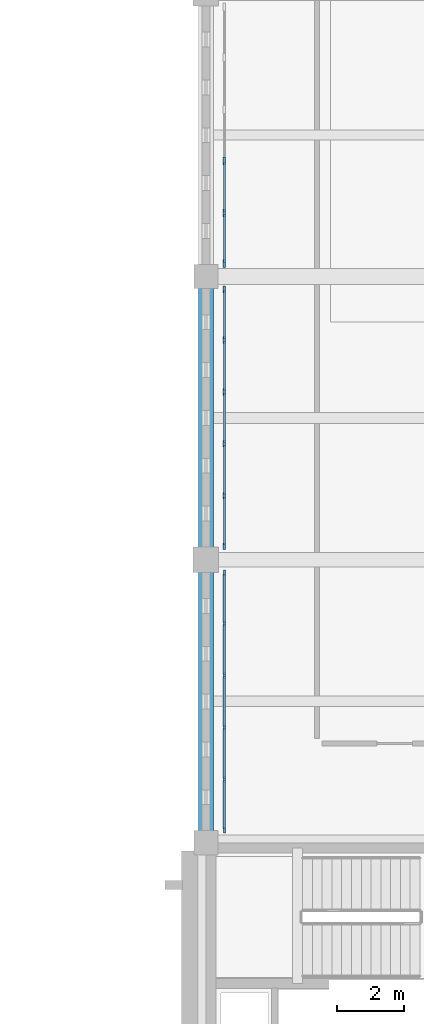
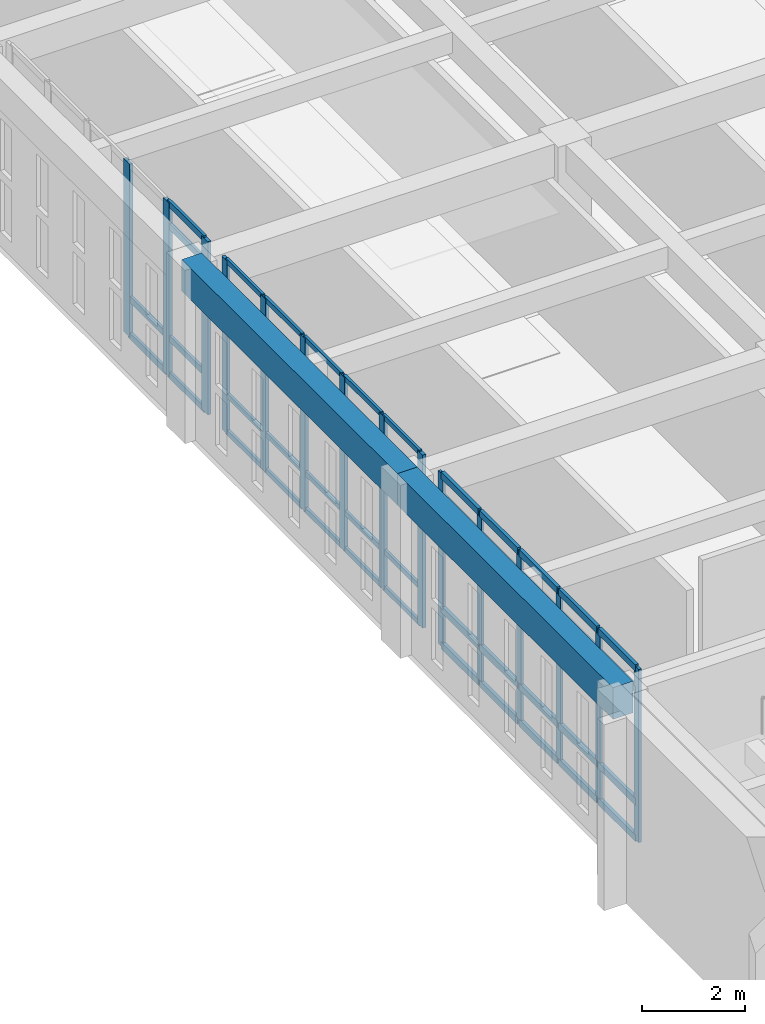
# One storey, part 69 of 192: 61 members, 2 beams, 3 elements without a shape of their own.
"""IFC4 building model written with IfcOpenShell, lengths in metres."""

from ifc_helpers import new_model, si_unit, direction, frame, origin, origin_2d, place, context, subcontext, project, spatial, rectangle, extrude, material, layer, layer_set, material_profile, profile_set, type_object, element, aggregate, save


model = new_model("IFC4")

# Units and contexts
model_context = context("Model", 3, precision=1e-05, world=origin(), true_north=direction((0.0, 1.0)))
body_context = subcontext(model_context, "Body", "Model", "MODEL_VIEW")
ifc_project = project(units=[si_unit("LENGTHUNIT", "METRE"), si_unit("AREAUNIT", "SQUARE_METRE"), si_unit("VOLUMEUNIT", "CUBIC_METRE"), si_unit("PLANEANGLEUNIT", "RADIAN"), si_unit("MASSUNIT", "GRAM", prefix="KILO")], contexts=[model_context])

# Site, building, storey
site_placement = place(None, origin())
site = spatial("IfcSite", under=ifc_project, at=site_placement, CompositionType="ELEMENT")
building_placement = place(site_placement, origin())
building = spatial("IfcBuilding", under=site, at=building_placement, Name="Kveldsbrygga Polytechnic", CompositionType="ELEMENT")
storey_placement = place(building_placement, frame((0.0, 0.0, 5.43994140625)))
storey = spatial("IfcBuildingStorey", under=building, at=storey_placement, Name="L01", CompositionType="ELEMENT", Elevation=5.43994140625)

# Beams
ifc_material_1 = material(Name="Concrete C35/45", Category="concrete")
ifc_material_profile_1 = material_profile(ifc_material_1, rectangle(XDim=0.449951171875, YDim=0.75, at=origin_2d()), Name="RC 450x750")
ifc_profile_set_1 = profile_set([ifc_material_profile_1], Name="Concrete C35/45")
beam_type = type_object("IfcBeamType", Name="BM-RC-450x750", PredefinedType="BEAM", material=ifc_profile_set_1)
for number, where, z_axis, x_axis, name in (
    (1, (126.0, 33.60009765625, 3.7451171875), (0.0, 1.0, 0.0), (-1.0, 0.0, 0.0), "Primary Beam BMY-L01-15-04to05"),
    (2, (126.0, 42.0, 3.7451171875), (0.0, 1.0, 0.0), (-1.0, 0.0, 0.0), "Primary Beam BMY-L01-15-05to06"),
):
    element("IfcBeam", number, at=place(storey_placement, frame(where, z_axis=z_axis, x_axis=x_axis)), inside=storey, type_object=beam_type, Name=name, PredefinedType="BEAM", context=body_context, shape_type="SweptSolid", body=[
        extrude(rectangle(XDim=0.449951171875, YDim=0.75, at=origin_2d()), origin(), (0.0, 0.0, 1.0), 8.39990234375),
    ])

# Curtain wall, members
ifc_material_2 = material(Name="Anodised aluminium AW-6060", Category="aluminium")
ifc_layer_1 = layer(ifc_material_2, 0.169921875)
ifc_layer_set_1 = layer_set([ifc_layer_1], Name="Anodised aluminium AW-6060")
curtain_wall_type_1 = type_object("IfcCurtainWallType", Name="CW-FOYR-F", PredefinedType="USERDEFINED", material=ifc_layer_set_1)
curtain_wall_1_placement = place(storey_placement, origin())
curtain_wall_1 = element("IfcCurtainWall", 3, at=curtain_wall_1_placement, inside=storey, type_object=curtain_wall_type_1, Name="Curtain Wall CW-L01-Y-15-04", ObjectType="STICK CURTAIN WALL", PredefinedType="USERDEFINED")
ifc_material_profile_2 = material_profile(ifc_material_2, rectangle(XDim=0.06005859375, YDim=0.179931640625, at=origin_2d()), Name="ALU 60x180")
ifc_profile_set_2 = profile_set([ifc_material_profile_2], Name="Anodised aluminium AW-6060")
member_type_1 = type_object("IfcMemberType", Name="CW-MUL-180", PredefinedType="MULLION", material=ifc_profile_set_2)
member_1_placement = place(storey_placement, frame((126.550048828125, 33.97509765625, 0.0), z_axis=(0.0, 0.0, 1.0), x_axis=(-1.0, 0.0, 0.0)))
member_1 = element("IfcMember", 4, at=member_1_placement, type_object=member_type_1, Name="CW-06 mullion 1", PredefinedType="MULLION", context=body_context, shape_type="SweptSolid", body=[
    extrude(rectangle(XDim=0.06005859375, YDim=0.179931640625, at=origin_2d()), origin(), (0.0, 0.0, 1.0), 4.1201171875),
])
member_2_placement = place(storey_placement, frame((126.550048828125, 35.48388671875, 0.0), z_axis=(0.0, 0.0, 1.0), x_axis=(-1.0, 0.0, 0.0)))
member_2 = element("IfcMember", 5, at=member_2_placement, type_object=member_type_1, Name="CW-06 mullion 2", PredefinedType="MULLION", context=body_context, shape_type="SweptSolid", body=[
    extrude(rectangle(XDim=0.06005859375, YDim=0.179931640625, at=origin_2d()), origin(), (0.0, 0.0, 1.0), 4.1201171875),
])
member_3_placement = place(storey_placement, frame((126.550048828125, 37.02294921875, 0.0), z_axis=(0.0, 0.0, 1.0), x_axis=(-1.0, 0.0, 0.0)))
member_3 = element("IfcMember", 6, at=member_3_placement, type_object=member_type_1, Name="CW-06 mullion 3", PredefinedType="MULLION", context=body_context, shape_type="SweptSolid", body=[
    extrude(rectangle(XDim=0.06005859375, YDim=0.179931640625, at=origin_2d()), origin(), (0.0, 0.0, 1.0), 4.1201171875),
])
member_4_placement = place(storey_placement, frame((126.550048828125, 38.56201171875, 0.0), z_axis=(0.0, 0.0, 1.0), x_axis=(-1.0, 0.0, 0.0)))
member_4 = element("IfcMember", 7, at=member_4_placement, type_object=member_type_1, Name="CW-06 mullion 4", PredefinedType="MULLION", context=body_context, shape_type="SweptSolid", body=[
    extrude(rectangle(XDim=0.06005859375, YDim=0.179931640625, at=origin_2d()), origin(), (0.0, 0.0, 1.0), 4.1201171875),
])
member_5_placement = place(storey_placement, frame((126.550048828125, 40.10107421875, 0.0), z_axis=(0.0, 0.0, 1.0), x_axis=(-1.0, 0.0, 0.0)))
member_5 = element("IfcMember", 8, at=member_5_placement, type_object=member_type_1, Name="CW-06 mullion 5", PredefinedType="MULLION", context=body_context, shape_type="SweptSolid", body=[
    extrude(rectangle(XDim=0.06005859375, YDim=0.179931640625, at=origin_2d()), origin(), (0.0, 0.0, 1.0), 4.1201171875),
])
member_6_placement = place(storey_placement, frame((126.550048828125, 41.610107421875, 0.0), z_axis=(0.0, 0.0, 1.0), x_axis=(-1.0, 0.0, 0.0)))
member_6 = element("IfcMember", 9, at=member_6_placement, type_object=member_type_1, Name="CW-06 mullion 6", PredefinedType="MULLION", context=body_context, shape_type="SweptSolid", body=[
    extrude(rectangle(XDim=0.06005859375, YDim=0.179931640625, at=origin_2d()), origin(), (0.0, 0.0, 1.0), 4.1201171875),
])

ifc_layer_2 = layer(ifc_material_2, 0.18994140625)
ifc_layer_set_2 = layer_set([ifc_layer_2], Name="Anodised aluminium AW-6060")
curtain_wall_type_2 = type_object("IfcCurtainWallType", Name="CW-REFC-G", PredefinedType="USERDEFINED", material=ifc_layer_set_2)
curtain_wall_2_placement = place(storey_placement, origin())
curtain_wall_2 = element("IfcCurtainWall", 10, at=curtain_wall_2_placement, inside=storey, type_object=curtain_wall_type_2, Name="Curtain Wall CW-L01-Y-15-05", ObjectType="UNITISED CURTAIN WALL", PredefinedType="USERDEFINED")
ifc_material_profile_3 = material_profile(ifc_material_2, rectangle(XDim=0.074951171875, YDim=0.199951171875, at=origin_2d()), Name="ALU 75x200")
ifc_profile_set_3 = profile_set([ifc_material_profile_3], Name="Anodised aluminium AW-6060")
member_type_2 = type_object("IfcMemberType", Name="CW-MUL-200", PredefinedType="MULLION", material=ifc_profile_set_3)
member_7_placement = place(storey_placement, frame((126.550048828125, 42.3974609375, 0.0), z_axis=(0.0, 0.0, 1.0), x_axis=(-1.0, 0.0, 0.0)))
member_7 = element("IfcMember", 11, at=member_7_placement, type_object=member_type_2, Name="CW-07 mullion 1", PredefinedType="MULLION", context=body_context, shape_type="SweptSolid", body=[
    extrude(rectangle(XDim=0.074951171875, YDim=0.199951171875, at=origin_2d()), origin(), (0.0, 0.0, 1.0), 4.1201171875),
])
member_8_placement = place(storey_placement, frame((126.550048828125, 43.89892578125, 0.0), z_axis=(0.0, 0.0, 1.0), x_axis=(-1.0, 0.0, 0.0)))
member_8 = element("IfcMember", 12, at=member_8_placement, type_object=member_type_2, Name="CW-07 mullion 2", PredefinedType="MULLION", context=body_context, shape_type="SweptSolid", body=[
    extrude(rectangle(XDim=0.074951171875, YDim=0.199951171875, at=origin_2d()), origin(), (0.0, 0.0, 1.0), 4.1201171875),
])
member_9_placement = place(storey_placement, frame((126.550048828125, 45.43798828125, 0.0), z_axis=(0.0, 0.0, 1.0), x_axis=(-1.0, 0.0, 0.0)))
member_9 = element("IfcMember", 13, at=member_9_placement, type_object=member_type_2, Name="CW-07 mullion 3", PredefinedType="MULLION", context=body_context, shape_type="SweptSolid", body=[
    extrude(rectangle(XDim=0.074951171875, YDim=0.199951171875, at=origin_2d()), origin(), (0.0, 0.0, 1.0), 4.1201171875),
])
member_10_placement = place(storey_placement, frame((126.550048828125, 46.97705078125, 0.0), z_axis=(0.0, 0.0, 1.0), x_axis=(-1.0, 0.0, 0.0)))
member_10 = element("IfcMember", 14, at=member_10_placement, type_object=member_type_2, Name="CW-07 mullion 4", PredefinedType="MULLION", context=body_context, shape_type="SweptSolid", body=[
    extrude(rectangle(XDim=0.074951171875, YDim=0.199951171875, at=origin_2d()), origin(), (0.0, 0.0, 1.0), 4.1201171875),
])
member_11_placement = place(storey_placement, frame((126.550048828125, 48.51611328125, 0.0), z_axis=(0.0, 0.0, 1.0), x_axis=(-1.0, 0.0, 0.0)))
member_11 = element("IfcMember", 15, at=member_11_placement, type_object=member_type_2, Name="CW-07 mullion 5", PredefinedType="MULLION", context=body_context, shape_type="SweptSolid", body=[
    extrude(rectangle(XDim=0.074951171875, YDim=0.199951171875, at=origin_2d()), origin(), (0.0, 0.0, 1.0), 4.1201171875),
])
member_12_placement = place(storey_placement, frame((126.550048828125, 50.017578125, 0.0), z_axis=(0.0, 0.0, 1.0), x_axis=(-1.0, 0.0, 0.0)))
member_12 = element("IfcMember", 16, at=member_12_placement, type_object=member_type_2, Name="CW-07 mullion 6", PredefinedType="MULLION", context=body_context, shape_type="SweptSolid", body=[
    extrude(rectangle(XDim=0.074951171875, YDim=0.199951171875, at=origin_2d()), origin(), (0.0, 0.0, 1.0), 4.1201171875),
])

ifc_layer_3 = layer(ifc_material_2, 0.2099609375)
ifc_layer_set_3 = layer_set([ifc_layer_3], Name="Anodised aluminium AW-6060")
curtain_wall_type_3 = type_object("IfcCurtainWallType", Name="CW-LIBR-H", PredefinedType="USERDEFINED", material=ifc_layer_set_3)
curtain_wall_3_placement = place(storey_placement, origin())
curtain_wall_3 = element("IfcCurtainWall", 17, at=curtain_wall_3_placement, inside=storey, type_object=curtain_wall_type_3, Name="Curtain Wall CW-L01-Y-15-06", ObjectType="UNITISED CURTAIN WALL", PredefinedType="USERDEFINED")
ifc_material_profile_4 = material_profile(ifc_material_2, rectangle(XDim=0.074951171875, YDim=0.239990234375, at=origin_2d()), Name="ALU 75x240")
ifc_profile_set_4 = profile_set([ifc_material_profile_4], Name="Anodised aluminium AW-6060")
member_type_3 = type_object("IfcMemberType", Name="CW-MUL-240", PredefinedType="MULLION", material=ifc_profile_set_4)
member_13_placement = place(storey_placement, frame((126.550048828125, 50.782470703125, 0.0), z_axis=(0.0, 0.0, 1.0), x_axis=(-1.0, 0.0, 0.0)))
member_13 = element("IfcMember", 18, at=member_13_placement, type_object=member_type_3, Name="CW-08 mullion 1", PredefinedType="MULLION", context=body_context, shape_type="SweptSolid", body=[
    extrude(rectangle(XDim=0.074951171875, YDim=0.239990234375, at=origin_2d()), origin(), (0.0, 0.0, 1.0), 4.1201171875),
])
member_14_placement = place(storey_placement, frame((126.550048828125, 52.283935546875, 0.0), z_axis=(0.0, 0.0, 1.0), x_axis=(-1.0, 0.0, 0.0)))
member_14 = element("IfcMember", 19, at=member_14_placement, type_object=member_type_3, Name="CW-08 mullion 2", PredefinedType="MULLION", context=body_context, shape_type="SweptSolid", body=[
    extrude(rectangle(XDim=0.074951171875, YDim=0.239990234375, at=origin_2d()), origin(), (0.0, 0.0, 1.0), 4.1201171875),
])
member_15_placement = place(storey_placement, frame((126.550048828125, 53.822998046875, 0.0), z_axis=(0.0, 0.0, 1.0), x_axis=(-1.0, 0.0, 0.0)))
member_15 = element("IfcMember", 20, at=member_15_placement, type_object=member_type_3, Name="CW-08 mullion 3", PredefinedType="MULLION", context=body_context, shape_type="SweptSolid", body=[
    extrude(rectangle(XDim=0.074951171875, YDim=0.239990234375, at=origin_2d()), origin(), (0.0, 0.0, 1.0), 4.1201171875),
])

# Member
ifc_material_profile_5 = material_profile(ifc_material_2, rectangle(XDim=0.06005859375, YDim=0.1201171875, at=origin_2d()), Name="ALU 60x120")
ifc_profile_set_5 = profile_set([ifc_material_profile_5], Name="Anodised aluminium AW-6060")
member_type_4 = type_object("IfcMemberType", Name="CW-TRN-120", PredefinedType="USERDEFINED", material=ifc_profile_set_5)
member_16_placement = place(storey_placement, frame((126.550048828125, 42.43505859375, 0.030029296875), z_axis=(0.0, 1.0, 0.0), x_axis=(-1.0, 0.0, 0.0)))
member_16 = element("IfcMember", 21, at=member_16_placement, type_object=member_type_4, Name="CW-07 transom 1.1", ObjectType="TRANSOM", PredefinedType="USERDEFINED", context=body_context, shape_type="SweptSolid", body=[
    extrude(rectangle(XDim=0.06005859375, YDim=0.1201171875, at=origin_2d()), origin(), (0.0, 0.0, 1.0), 1.426513671875),
])

member_17_placement = place(storey_placement, frame((126.550048828125, 42.43505859375, 0.900146484375), z_axis=(0.0, 1.0, 0.0), x_axis=(-1.0, 0.0, 0.0)))
member_17 = element("IfcMember", 22, at=member_17_placement, type_object=member_type_4, Name="CW-07 transom 1.2", ObjectType="TRANSOM", PredefinedType="USERDEFINED", context=body_context, shape_type="SweptSolid", body=[
    extrude(rectangle(XDim=0.06005859375, YDim=0.1201171875, at=origin_2d()), origin(), (0.0, 0.0, 1.0), 1.426513671875),
])

member_18_placement = place(storey_placement, frame((126.550048828125, 42.43505859375, 3.570068359375), z_axis=(0.0, 1.0, 0.0), x_axis=(-1.0, 0.0, 0.0)))
member_18 = element("IfcMember", 23, at=member_18_placement, type_object=member_type_4, Name="CW-07 transom 1.3", ObjectType="TRANSOM", PredefinedType="USERDEFINED", context=body_context, shape_type="SweptSolid", body=[
    extrude(rectangle(XDim=0.06005859375, YDim=0.1201171875, at=origin_2d()), origin(), (0.0, 0.0, 1.0), 1.426513671875),
])

member_19_placement = place(storey_placement, frame((126.550048828125, 42.43505859375, 4.090087890625), z_axis=(0.0, 1.0, 0.0), x_axis=(-1.0, 0.0, 0.0)))
member_19 = element("IfcMember", 24, at=member_19_placement, type_object=member_type_4, Name="CW-07 transom 1.4", ObjectType="TRANSOM", PredefinedType="USERDEFINED", context=body_context, shape_type="SweptSolid", body=[
    extrude(rectangle(XDim=0.06005859375, YDim=0.1201171875, at=origin_2d()), origin(), (0.0, 0.0, 1.0), 1.426513671875),
])

member_20_placement = place(storey_placement, frame((126.550048828125, 43.9365234375, 0.030029296875), z_axis=(0.0, 1.0, 0.0), x_axis=(-1.0, 0.0, 0.0)))
member_20 = element("IfcMember", 25, at=member_20_placement, type_object=member_type_4, Name="CW-07 transom 2.1", ObjectType="TRANSOM", PredefinedType="USERDEFINED", context=body_context, shape_type="SweptSolid", body=[
    extrude(rectangle(XDim=0.06005859375, YDim=0.1201171875, at=origin_2d()), origin(), (0.0, 0.0, 1.0), 1.4638671875),
])

member_21_placement = place(storey_placement, frame((126.550048828125, 43.9365234375, 0.900146484375), z_axis=(0.0, 1.0, 0.0), x_axis=(-1.0, 0.0, 0.0)))
member_21 = element("IfcMember", 26, at=member_21_placement, type_object=member_type_4, Name="CW-07 transom 2.2", ObjectType="TRANSOM", PredefinedType="USERDEFINED", context=body_context, shape_type="SweptSolid", body=[
    extrude(rectangle(XDim=0.06005859375, YDim=0.1201171875, at=origin_2d()), origin(), (0.0, 0.0, 1.0), 1.4638671875),
])

member_22_placement = place(storey_placement, frame((126.550048828125, 43.9365234375, 3.570068359375), z_axis=(0.0, 1.0, 0.0), x_axis=(-1.0, 0.0, 0.0)))
member_22 = element("IfcMember", 27, at=member_22_placement, type_object=member_type_4, Name="CW-07 transom 2.3", ObjectType="TRANSOM", PredefinedType="USERDEFINED", context=body_context, shape_type="SweptSolid", body=[
    extrude(rectangle(XDim=0.06005859375, YDim=0.1201171875, at=origin_2d()), origin(), (0.0, 0.0, 1.0), 1.4638671875),
])

member_23_placement = place(storey_placement, frame((126.550048828125, 43.9365234375, 4.090087890625), z_axis=(0.0, 1.0, 0.0), x_axis=(-1.0, 0.0, 0.0)))
member_23 = element("IfcMember", 28, at=member_23_placement, type_object=member_type_4, Name="CW-07 transom 2.4", ObjectType="TRANSOM", PredefinedType="USERDEFINED", context=body_context, shape_type="SweptSolid", body=[
    extrude(rectangle(XDim=0.06005859375, YDim=0.1201171875, at=origin_2d()), origin(), (0.0, 0.0, 1.0), 1.4638671875),
])

member_24_placement = place(storey_placement, frame((126.550048828125, 45.4755859375, 0.030029296875), z_axis=(0.0, 1.0, 0.0), x_axis=(-1.0, 0.0, 0.0)))
member_24 = element("IfcMember", 29, at=member_24_placement, type_object=member_type_4, Name="CW-07 transom 3.1", ObjectType="TRANSOM", PredefinedType="USERDEFINED", context=body_context, shape_type="SweptSolid", body=[
    extrude(rectangle(XDim=0.06005859375, YDim=0.1201171875, at=origin_2d()), origin(), (0.0, 0.0, 1.0), 1.4638671875),
])

member_25_placement = place(storey_placement, frame((126.550048828125, 45.4755859375, 0.900146484375), z_axis=(0.0, 1.0, 0.0), x_axis=(-1.0, 0.0, 0.0)))
member_25 = element("IfcMember", 30, at=member_25_placement, type_object=member_type_4, Name="CW-07 transom 3.2", ObjectType="TRANSOM", PredefinedType="USERDEFINED", context=body_context, shape_type="SweptSolid", body=[
    extrude(rectangle(XDim=0.06005859375, YDim=0.1201171875, at=origin_2d()), origin(), (0.0, 0.0, 1.0), 1.4638671875),
])

member_26_placement = place(storey_placement, frame((126.550048828125, 45.4755859375, 3.570068359375), z_axis=(0.0, 1.0, 0.0), x_axis=(-1.0, 0.0, 0.0)))
member_26 = element("IfcMember", 31, at=member_26_placement, type_object=member_type_4, Name="CW-07 transom 3.3", ObjectType="TRANSOM", PredefinedType="USERDEFINED", context=body_context, shape_type="SweptSolid", body=[
    extrude(rectangle(XDim=0.06005859375, YDim=0.1201171875, at=origin_2d()), origin(), (0.0, 0.0, 1.0), 1.4638671875),
])

member_27_placement = place(storey_placement, frame((126.550048828125, 45.4755859375, 4.090087890625), z_axis=(0.0, 1.0, 0.0), x_axis=(-1.0, 0.0, 0.0)))
member_27 = element("IfcMember", 32, at=member_27_placement, type_object=member_type_4, Name="CW-07 transom 3.4", ObjectType="TRANSOM", PredefinedType="USERDEFINED", context=body_context, shape_type="SweptSolid", body=[
    extrude(rectangle(XDim=0.06005859375, YDim=0.1201171875, at=origin_2d()), origin(), (0.0, 0.0, 1.0), 1.4638671875),
])

member_28_placement = place(storey_placement, frame((126.550048828125, 47.014404296875, 0.030029296875), z_axis=(0.0, 1.0, 0.0), x_axis=(-1.0, 0.0, 0.0)))
member_28 = element("IfcMember", 33, at=member_28_placement, type_object=member_type_4, Name="CW-07 transom 4.1", ObjectType="TRANSOM", PredefinedType="USERDEFINED", context=body_context, shape_type="SweptSolid", body=[
    extrude(rectangle(XDim=0.06005859375, YDim=0.1201171875, at=origin_2d()), origin(), (0.0, 0.0, 1.0), 1.464111328125),
])

member_29_placement = place(storey_placement, frame((126.550048828125, 47.014404296875, 0.900146484375), z_axis=(0.0, 1.0, 0.0), x_axis=(-1.0, 0.0, 0.0)))
member_29 = element("IfcMember", 34, at=member_29_placement, type_object=member_type_4, Name="CW-07 transom 4.2", ObjectType="TRANSOM", PredefinedType="USERDEFINED", context=body_context, shape_type="SweptSolid", body=[
    extrude(rectangle(XDim=0.06005859375, YDim=0.1201171875, at=origin_2d()), origin(), (0.0, 0.0, 1.0), 1.464111328125),
])

member_30_placement = place(storey_placement, frame((126.550048828125, 47.014404296875, 3.570068359375), z_axis=(0.0, 1.0, 0.0), x_axis=(-1.0, 0.0, 0.0)))
member_30 = element("IfcMember", 35, at=member_30_placement, type_object=member_type_4, Name="CW-07 transom 4.3", ObjectType="TRANSOM", PredefinedType="USERDEFINED", context=body_context, shape_type="SweptSolid", body=[
    extrude(rectangle(XDim=0.06005859375, YDim=0.1201171875, at=origin_2d()), origin(), (0.0, 0.0, 1.0), 1.464111328125),
])

member_31_placement = place(storey_placement, frame((126.550048828125, 47.014404296875, 4.090087890625), z_axis=(0.0, 1.0, 0.0), x_axis=(-1.0, 0.0, 0.0)))
member_31 = element("IfcMember", 36, at=member_31_placement, type_object=member_type_4, Name="CW-07 transom 4.4", ObjectType="TRANSOM", PredefinedType="USERDEFINED", context=body_context, shape_type="SweptSolid", body=[
    extrude(rectangle(XDim=0.06005859375, YDim=0.1201171875, at=origin_2d()), origin(), (0.0, 0.0, 1.0), 1.464111328125),
])

member_32_placement = place(storey_placement, frame((126.550048828125, 48.553466796875, 0.030029296875), z_axis=(0.0, 1.0, 0.0), x_axis=(-1.0, 0.0, 0.0)))
member_32 = element("IfcMember", 37, at=member_32_placement, type_object=member_type_4, Name="CW-07 transom 5.1", ObjectType="TRANSOM", PredefinedType="USERDEFINED", context=body_context, shape_type="SweptSolid", body=[
    extrude(rectangle(XDim=0.06005859375, YDim=0.1201171875, at=origin_2d()), origin(), (0.0, 0.0, 1.0), 1.426513671875),
])

member_33_placement = place(storey_placement, frame((126.550048828125, 48.553466796875, 0.900146484375), z_axis=(0.0, 1.0, 0.0), x_axis=(-1.0, 0.0, 0.0)))
member_33 = element("IfcMember", 38, at=member_33_placement, type_object=member_type_4, Name="CW-07 transom 5.2", ObjectType="TRANSOM", PredefinedType="USERDEFINED", context=body_context, shape_type="SweptSolid", body=[
    extrude(rectangle(XDim=0.06005859375, YDim=0.1201171875, at=origin_2d()), origin(), (0.0, 0.0, 1.0), 1.426513671875),
])

member_34_placement = place(storey_placement, frame((126.550048828125, 48.553466796875, 3.570068359375), z_axis=(0.0, 1.0, 0.0), x_axis=(-1.0, 0.0, 0.0)))
member_34 = element("IfcMember", 39, at=member_34_placement, type_object=member_type_4, Name="CW-07 transom 5.3", ObjectType="TRANSOM", PredefinedType="USERDEFINED", context=body_context, shape_type="SweptSolid", body=[
    extrude(rectangle(XDim=0.06005859375, YDim=0.1201171875, at=origin_2d()), origin(), (0.0, 0.0, 1.0), 1.426513671875),
])

member_35_placement = place(storey_placement, frame((126.550048828125, 48.553466796875, 4.090087890625), z_axis=(0.0, 1.0, 0.0), x_axis=(-1.0, 0.0, 0.0)))
member_35 = element("IfcMember", 40, at=member_35_placement, type_object=member_type_4, Name="CW-07 transom 5.4", ObjectType="TRANSOM", PredefinedType="USERDEFINED", context=body_context, shape_type="SweptSolid", body=[
    extrude(rectangle(XDim=0.06005859375, YDim=0.1201171875, at=origin_2d()), origin(), (0.0, 0.0, 1.0), 1.426513671875),
])

aggregate(curtain_wall_2, [member_7, member_8, member_9, member_10, member_11, member_12, member_16, member_17, member_18, member_19, member_20, member_21, member_22, member_23, member_24, member_25, member_26, member_27, member_28, member_29, member_30, member_31, member_32, member_33, member_34, member_35])

ifc_material_profile_6 = material_profile(ifc_material_2, rectangle(XDim=0.06005859375, YDim=0.14990234375, at=origin_2d()), Name="ALU 60x150")
ifc_profile_set_6 = profile_set([ifc_material_profile_6], Name="Anodised aluminium AW-6060")
member_type_5 = type_object("IfcMemberType", Name="CW-TRN-150", PredefinedType="USERDEFINED", material=ifc_profile_set_6)
member_36_placement = place(storey_placement, frame((126.550048828125, 50.820068359375, 0.030029296875), z_axis=(0.0, 1.0, 0.0), x_axis=(-1.0, 0.0, 0.0)))
member_36 = element("IfcMember", 41, at=member_36_placement, type_object=member_type_5, Name="CW-08 transom 1.1", ObjectType="TRANSOM", PredefinedType="USERDEFINED", context=body_context, shape_type="SweptSolid", body=[
    extrude(rectangle(XDim=0.06005859375, YDim=0.14990234375, at=origin_2d()), origin(), (0.0, 0.0, 1.0), 1.426513671875),
])

member_37_placement = place(storey_placement, frame((126.550048828125, 50.820068359375, 0.900146484375), z_axis=(0.0, 1.0, 0.0), x_axis=(-1.0, 0.0, 0.0)))
member_37 = element("IfcMember", 42, at=member_37_placement, type_object=member_type_5, Name="CW-08 transom 1.2", ObjectType="TRANSOM", PredefinedType="USERDEFINED", context=body_context, shape_type="SweptSolid", body=[
    extrude(rectangle(XDim=0.06005859375, YDim=0.14990234375, at=origin_2d()), origin(), (0.0, 0.0, 1.0), 1.426513671875),
])

member_38_placement = place(storey_placement, frame((126.550048828125, 50.820068359375, 3.570068359375), z_axis=(0.0, 1.0, 0.0), x_axis=(-1.0, 0.0, 0.0)))
member_38 = element("IfcMember", 43, at=member_38_placement, type_object=member_type_5, Name="CW-08 transom 1.3", ObjectType="TRANSOM", PredefinedType="USERDEFINED", context=body_context, shape_type="SweptSolid", body=[
    extrude(rectangle(XDim=0.06005859375, YDim=0.14990234375, at=origin_2d()), origin(), (0.0, 0.0, 1.0), 1.426513671875),
])

member_39_placement = place(storey_placement, frame((126.550048828125, 50.820068359375, 4.090087890625), z_axis=(0.0, 1.0, 0.0), x_axis=(-1.0, 0.0, 0.0)))
member_39 = element("IfcMember", 44, at=member_39_placement, type_object=member_type_5, Name="CW-08 transom 1.4", ObjectType="TRANSOM", PredefinedType="USERDEFINED", context=body_context, shape_type="SweptSolid", body=[
    extrude(rectangle(XDim=0.06005859375, YDim=0.14990234375, at=origin_2d()), origin(), (0.0, 0.0, 1.0), 1.426513671875),
])

member_40_placement = place(storey_placement, frame((126.550048828125, 52.321533203125, 0.030029296875), z_axis=(0.0, 1.0, 0.0), x_axis=(-1.0, 0.0, 0.0)))
member_40 = element("IfcMember", 45, at=member_40_placement, type_object=member_type_5, Name="CW-08 transom 2.1", ObjectType="TRANSOM", PredefinedType="USERDEFINED", context=body_context, shape_type="SweptSolid", body=[
    extrude(rectangle(XDim=0.06005859375, YDim=0.14990234375, at=origin_2d()), origin(), (0.0, 0.0, 1.0), 1.4638671875),
])

member_41_placement = place(storey_placement, frame((126.550048828125, 52.321533203125, 0.900146484375), z_axis=(0.0, 1.0, 0.0), x_axis=(-1.0, 0.0, 0.0)))
member_41 = element("IfcMember", 46, at=member_41_placement, type_object=member_type_5, Name="CW-08 transom 2.2", ObjectType="TRANSOM", PredefinedType="USERDEFINED", context=body_context, shape_type="SweptSolid", body=[
    extrude(rectangle(XDim=0.06005859375, YDim=0.14990234375, at=origin_2d()), origin(), (0.0, 0.0, 1.0), 1.4638671875),
])

aggregate(curtain_wall_3, [member_13, member_14, member_15, member_36, member_37, member_38, member_39, member_40, member_41])

ifc_material_profile_7 = material_profile(ifc_material_2, rectangle(XDim=0.074951171875, YDim=0.159912109375, at=origin_2d()), Name="ALU 75x160")
ifc_profile_set_7 = profile_set([ifc_material_profile_7], Name="Anodised aluminium AW-6060")
member_type_6 = type_object("IfcMemberType", Name="CW-TRN-160", PredefinedType="USERDEFINED", material=ifc_profile_set_7)
member_42_placement = place(storey_placement, frame((126.550048828125, 34.0048828125, 0.03759765625), z_axis=(0.0, 1.0, 0.0), x_axis=(-1.0, 0.0, 0.0)))
member_42 = element("IfcMember", 47, at=member_42_placement, type_object=member_type_6, Name="CW-06 transom 1.1", ObjectType="TRANSOM", PredefinedType="USERDEFINED", context=body_context, shape_type="SweptSolid", body=[
    extrude(rectangle(XDim=0.074951171875, YDim=0.159912109375, at=origin_2d()), origin(), (0.0, 0.0, 1.0), 1.44921875),
])

member_43_placement = place(storey_placement, frame((126.550048828125, 34.0048828125, 0.900146484375), z_axis=(0.0, 1.0, 0.0), x_axis=(-1.0, 0.0, 0.0)))
member_43 = element("IfcMember", 48, at=member_43_placement, type_object=member_type_6, Name="CW-06 transom 1.2", ObjectType="TRANSOM", PredefinedType="USERDEFINED", context=body_context, shape_type="SweptSolid", body=[
    extrude(rectangle(XDim=0.074951171875, YDim=0.159912109375, at=origin_2d()), origin(), (0.0, 0.0, 1.0), 1.44921875),
])

member_44_placement = place(storey_placement, frame((126.550048828125, 34.0048828125, 3.570068359375), z_axis=(0.0, 1.0, 0.0), x_axis=(-1.0, 0.0, 0.0)))
member_44 = element("IfcMember", 49, at=member_44_placement, type_object=member_type_6, Name="CW-06 transom 1.3", ObjectType="TRANSOM", PredefinedType="USERDEFINED", context=body_context, shape_type="SweptSolid", body=[
    extrude(rectangle(XDim=0.074951171875, YDim=0.159912109375, at=origin_2d()), origin(), (0.0, 0.0, 1.0), 1.44921875),
])

member_45_placement = place(storey_placement, frame((126.550048828125, 34.0048828125, 4.08251953125), z_axis=(0.0, 1.0, 0.0), x_axis=(-1.0, 0.0, 0.0)))
member_45 = element("IfcMember", 50, at=member_45_placement, type_object=member_type_6, Name="CW-06 transom 1.4", ObjectType="TRANSOM", PredefinedType="USERDEFINED", context=body_context, shape_type="SweptSolid", body=[
    extrude(rectangle(XDim=0.074951171875, YDim=0.159912109375, at=origin_2d()), origin(), (0.0, 0.0, 1.0), 1.44921875),
])

member_46_placement = place(storey_placement, frame((126.550048828125, 35.513916015625, 0.03759765625), z_axis=(0.0, 1.0, 0.0), x_axis=(-1.0, 0.0, 0.0)))
member_46 = element("IfcMember", 51, at=member_46_placement, type_object=member_type_6, Name="CW-06 transom 2.1", ObjectType="TRANSOM", PredefinedType="USERDEFINED", context=body_context, shape_type="SweptSolid", body=[
    extrude(rectangle(XDim=0.074951171875, YDim=0.159912109375, at=origin_2d()), origin(), (0.0, 0.0, 1.0), 1.47900390625),
])

member_47_placement = place(storey_placement, frame((126.550048828125, 35.513916015625, 0.900146484375), z_axis=(0.0, 1.0, 0.0), x_axis=(-1.0, 0.0, 0.0)))
member_47 = element("IfcMember", 52, at=member_47_placement, type_object=member_type_6, Name="CW-06 transom 2.2", ObjectType="TRANSOM", PredefinedType="USERDEFINED", context=body_context, shape_type="SweptSolid", body=[
    extrude(rectangle(XDim=0.074951171875, YDim=0.159912109375, at=origin_2d()), origin(), (0.0, 0.0, 1.0), 1.47900390625),
])

member_48_placement = place(storey_placement, frame((126.550048828125, 35.513916015625, 3.570068359375), z_axis=(0.0, 1.0, 0.0), x_axis=(-1.0, 0.0, 0.0)))
member_48 = element("IfcMember", 53, at=member_48_placement, type_object=member_type_6, Name="CW-06 transom 2.3", ObjectType="TRANSOM", PredefinedType="USERDEFINED", context=body_context, shape_type="SweptSolid", body=[
    extrude(rectangle(XDim=0.074951171875, YDim=0.159912109375, at=origin_2d()), origin(), (0.0, 0.0, 1.0), 1.47900390625),
])

member_49_placement = place(storey_placement, frame((126.550048828125, 35.513916015625, 4.08251953125), z_axis=(0.0, 1.0, 0.0), x_axis=(-1.0, 0.0, 0.0)))
member_49 = element("IfcMember", 54, at=member_49_placement, type_object=member_type_6, Name="CW-06 transom 2.4", ObjectType="TRANSOM", PredefinedType="USERDEFINED", context=body_context, shape_type="SweptSolid", body=[
    extrude(rectangle(XDim=0.074951171875, YDim=0.159912109375, at=origin_2d()), origin(), (0.0, 0.0, 1.0), 1.47900390625),
])

member_50_placement = place(storey_placement, frame((126.550048828125, 37.052978515625, 0.03759765625), z_axis=(0.0, 1.0, 0.0), x_axis=(-1.0, 0.0, 0.0)))
member_50 = element("IfcMember", 55, at=member_50_placement, type_object=member_type_6, Name="CW-06 transom 3.1", ObjectType="TRANSOM", PredefinedType="USERDEFINED", context=body_context, shape_type="SweptSolid", body=[
    extrude(rectangle(XDim=0.074951171875, YDim=0.159912109375, at=origin_2d()), origin(), (0.0, 0.0, 1.0), 1.47900390625),
])

member_51_placement = place(storey_placement, frame((126.550048828125, 37.052978515625, 0.900146484375), z_axis=(0.0, 1.0, 0.0), x_axis=(-1.0, 0.0, 0.0)))
member_51 = element("IfcMember", 56, at=member_51_placement, type_object=member_type_6, Name="CW-06 transom 3.2", ObjectType="TRANSOM", PredefinedType="USERDEFINED", context=body_context, shape_type="SweptSolid", body=[
    extrude(rectangle(XDim=0.074951171875, YDim=0.159912109375, at=origin_2d()), origin(), (0.0, 0.0, 1.0), 1.47900390625),
])

member_52_placement = place(storey_placement, frame((126.550048828125, 37.052978515625, 3.570068359375), z_axis=(0.0, 1.0, 0.0), x_axis=(-1.0, 0.0, 0.0)))
member_52 = element("IfcMember", 57, at=member_52_placement, type_object=member_type_6, Name="CW-06 transom 3.3", ObjectType="TRANSOM", PredefinedType="USERDEFINED", context=body_context, shape_type="SweptSolid", body=[
    extrude(rectangle(XDim=0.074951171875, YDim=0.159912109375, at=origin_2d()), origin(), (0.0, 0.0, 1.0), 1.47900390625),
])

member_53_placement = place(storey_placement, frame((126.550048828125, 37.052978515625, 4.08251953125), z_axis=(0.0, 1.0, 0.0), x_axis=(-1.0, 0.0, 0.0)))
member_53 = element("IfcMember", 58, at=member_53_placement, type_object=member_type_6, Name="CW-06 transom 3.4", ObjectType="TRANSOM", PredefinedType="USERDEFINED", context=body_context, shape_type="SweptSolid", body=[
    extrude(rectangle(XDim=0.074951171875, YDim=0.159912109375, at=origin_2d()), origin(), (0.0, 0.0, 1.0), 1.47900390625),
])

member_54_placement = place(storey_placement, frame((126.550048828125, 38.592041015625, 0.03759765625), z_axis=(0.0, 1.0, 0.0), x_axis=(-1.0, 0.0, 0.0)))
member_54 = element("IfcMember", 59, at=member_54_placement, type_object=member_type_6, Name="CW-06 transom 4.1", ObjectType="TRANSOM", PredefinedType="USERDEFINED", context=body_context, shape_type="SweptSolid", body=[
    extrude(rectangle(XDim=0.074951171875, YDim=0.159912109375, at=origin_2d()), origin(), (0.0, 0.0, 1.0), 1.47900390625),
])

member_55_placement = place(storey_placement, frame((126.550048828125, 38.592041015625, 0.900146484375), z_axis=(0.0, 1.0, 0.0), x_axis=(-1.0, 0.0, 0.0)))
member_55 = element("IfcMember", 60, at=member_55_placement, type_object=member_type_6, Name="CW-06 transom 4.2", ObjectType="TRANSOM", PredefinedType="USERDEFINED", context=body_context, shape_type="SweptSolid", body=[
    extrude(rectangle(XDim=0.074951171875, YDim=0.159912109375, at=origin_2d()), origin(), (0.0, 0.0, 1.0), 1.47900390625),
])

member_56_placement = place(storey_placement, frame((126.550048828125, 38.592041015625, 3.570068359375), z_axis=(0.0, 1.0, 0.0), x_axis=(-1.0, 0.0, 0.0)))
member_56 = element("IfcMember", 61, at=member_56_placement, type_object=member_type_6, Name="CW-06 transom 4.3", ObjectType="TRANSOM", PredefinedType="USERDEFINED", context=body_context, shape_type="SweptSolid", body=[
    extrude(rectangle(XDim=0.074951171875, YDim=0.159912109375, at=origin_2d()), origin(), (0.0, 0.0, 1.0), 1.47900390625),
])

member_57_placement = place(storey_placement, frame((126.550048828125, 38.592041015625, 4.08251953125), z_axis=(0.0, 1.0, 0.0), x_axis=(-1.0, 0.0, 0.0)))
member_57 = element("IfcMember", 62, at=member_57_placement, type_object=member_type_6, Name="CW-06 transom 4.4", ObjectType="TRANSOM", PredefinedType="USERDEFINED", context=body_context, shape_type="SweptSolid", body=[
    extrude(rectangle(XDim=0.074951171875, YDim=0.159912109375, at=origin_2d()), origin(), (0.0, 0.0, 1.0), 1.47900390625),
])

member_58_placement = place(storey_placement, frame((126.550048828125, 40.131103515625, 0.03759765625), z_axis=(0.0, 1.0, 0.0), x_axis=(-1.0, 0.0, 0.0)))
member_58 = element("IfcMember", 63, at=member_58_placement, type_object=member_type_6, Name="CW-06 transom 5.1", ObjectType="TRANSOM", PredefinedType="USERDEFINED", context=body_context, shape_type="SweptSolid", body=[
    extrude(rectangle(XDim=0.074951171875, YDim=0.159912109375, at=origin_2d()), origin(), (0.0, 0.0, 1.0), 1.448974609375),
])

member_59_placement = place(storey_placement, frame((126.550048828125, 40.131103515625, 0.900146484375), z_axis=(0.0, 1.0, 0.0), x_axis=(-1.0, 0.0, 0.0)))
member_59 = element("IfcMember", 64, at=member_59_placement, type_object=member_type_6, Name="CW-06 transom 5.2", ObjectType="TRANSOM", PredefinedType="USERDEFINED", context=body_context, shape_type="SweptSolid", body=[
    extrude(rectangle(XDim=0.074951171875, YDim=0.159912109375, at=origin_2d()), origin(), (0.0, 0.0, 1.0), 1.448974609375),
])

member_60_placement = place(storey_placement, frame((126.550048828125, 40.131103515625, 3.570068359375), z_axis=(0.0, 1.0, 0.0), x_axis=(-1.0, 0.0, 0.0)))
member_60 = element("IfcMember", 65, at=member_60_placement, type_object=member_type_6, Name="CW-06 transom 5.3", ObjectType="TRANSOM", PredefinedType="USERDEFINED", context=body_context, shape_type="SweptSolid", body=[
    extrude(rectangle(XDim=0.074951171875, YDim=0.159912109375, at=origin_2d()), origin(), (0.0, 0.0, 1.0), 1.448974609375),
])

member_61_placement = place(storey_placement, frame((126.550048828125, 40.131103515625, 4.08251953125), z_axis=(0.0, 1.0, 0.0), x_axis=(-1.0, 0.0, 0.0)))
member_61 = element("IfcMember", 66, at=member_61_placement, type_object=member_type_6, Name="CW-06 transom 5.4", ObjectType="TRANSOM", PredefinedType="USERDEFINED", context=body_context, shape_type="SweptSolid", body=[
    extrude(rectangle(XDim=0.074951171875, YDim=0.159912109375, at=origin_2d()), origin(), (0.0, 0.0, 1.0), 1.448974609375),
])

aggregate(curtain_wall_1, [member_1, member_2, member_3, member_4, member_5, member_6, member_42, member_43, member_44, member_45, member_46, member_47, member_48, member_49, member_50, member_51, member_52, member_53, member_54, member_55, member_56, member_57, member_58, member_59, member_60, member_61])

save(model, "model.ifc")
